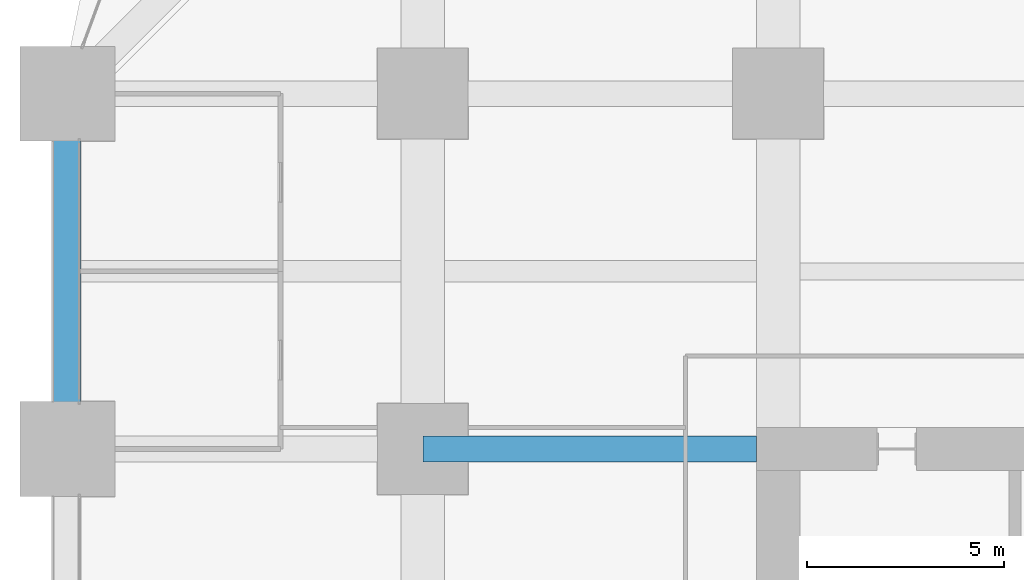
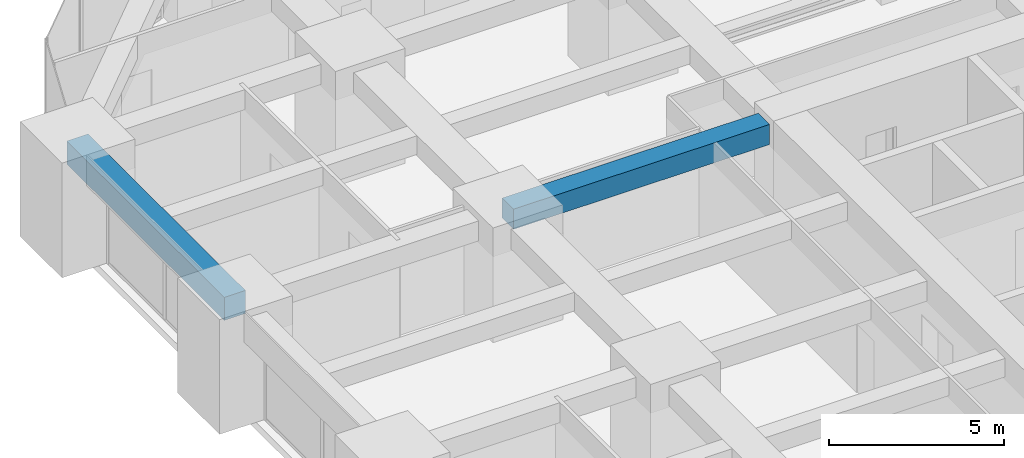
# One storey, part 24 of 44: 2 beams.
"""IFC4 building model written with IfcOpenShell, lengths in metres."""

from ifc_helpers import new_model, si_unit, direction, frame, origin, origin_2d, place, context, subcontext, project, spatial, rectangle, extrude, material, material_profile, profile_set, type_object, element, save


model = new_model("IFC4")

# Units and contexts
model_context = context("Model", 3, precision=1e-05, world=origin(), true_north=direction((0.0, 1.0)))
body_context = subcontext(model_context, "Body", "Model", "MODEL_VIEW")
ifc_project = project(units=[si_unit("LENGTHUNIT", "METRE"), si_unit("AREAUNIT", "SQUARE_METRE"), si_unit("VOLUMEUNIT", "CUBIC_METRE"), si_unit("PLANEANGLEUNIT", "RADIAN"), si_unit("MASSUNIT", "GRAM", prefix="KILO")], contexts=[model_context])

# Site, building, storey
site_placement = place(None, origin())
site = spatial("IfcSite", under=ifc_project, at=site_placement, CompositionType="ELEMENT")
building_placement = place(site_placement, origin())
building = spatial("IfcBuilding", under=site, at=building_placement, Name="Zorevar Civic Tower", CompositionType="ELEMENT")
storey_placement = place(building_placement, frame((0.0, 0.0, 31.800048828125)))
storey = spatial("IfcBuildingStorey", under=building, at=storey_placement, Name="L07", CompositionType="ELEMENT", Elevation=31.800048828125)

# Beams
ifc_material_1 = material(Name="Concrete C50/60", Category="concrete")
ifc_material_profile_1 = material_profile(ifc_material_1, rectangle(XDim=0.64990234375, YDim=0.699951171875, at=origin_2d()), Name="RC 650x700")
ifc_profile_set_1 = profile_set([ifc_material_profile_1], Name="Concrete C50/60")
beam_type_1 = type_object("IfcBeamType", Name="Beam RC 650x700", PredefinedType="BEAM", material=ifc_profile_set_1)
beam_1_placement = place(storey_placement, frame((9.0, 36.0, 3.39990234375), z_axis=(1.0, 0.0, 0.0), x_axis=(0.0, 1.0, 0.0)))
element("IfcBeam", 1, at=beam_1_placement, inside=storey, type_object=beam_type_1, Name="Girder L08", PredefinedType="BEAM", context=body_context, shape_type="SweptSolid", body=[
    extrude(rectangle(XDim=0.64990234375, YDim=0.699951171875, at=origin_2d()), origin(), (0.0, 0.0, 1.0), 8.449951171875),
])
ifc_material_2 = material(Name="Concrete C50/60", Category="concrete")
ifc_material_profile_2 = material_profile(ifc_material_2, rectangle(XDim=0.699951171875, YDim=0.800048828125, at=origin_2d()), Name="RC 700x800")
ifc_profile_set_2 = profile_set([ifc_material_profile_2], Name="Concrete C50/60")
beam_type_2 = type_object("IfcBeamType", Name="Edge beam RC 700x800", PredefinedType="SPANDREL", material=ifc_profile_set_2)
beam_2_placement = place(storey_placement, frame((0.0, 36.0, 3.349853515625), z_axis=(0.0, 1.0, 0.0), x_axis=(-1.0, 0.0, 0.0)))
element("IfcBeam", 2, at=beam_2_placement, inside=storey, type_object=beam_type_2, Name="Edge beam L08", PredefinedType="SPANDREL", context=body_context, shape_type="SweptSolid", body=[
    extrude(rectangle(XDim=0.699951171875, YDim=0.800048828125, at=origin_2d()), origin(), (0.0, 0.0, 1.0), 9.0),
])

save(model, "model.ifc")
